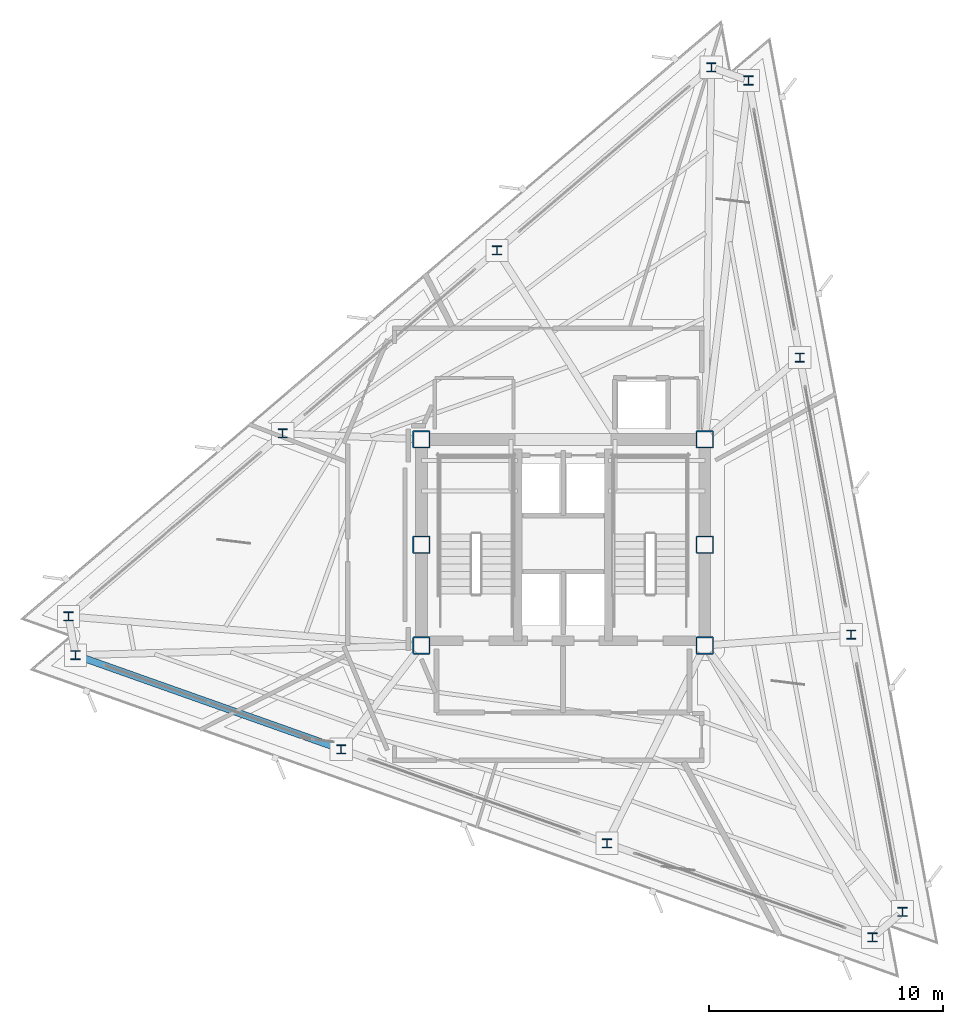
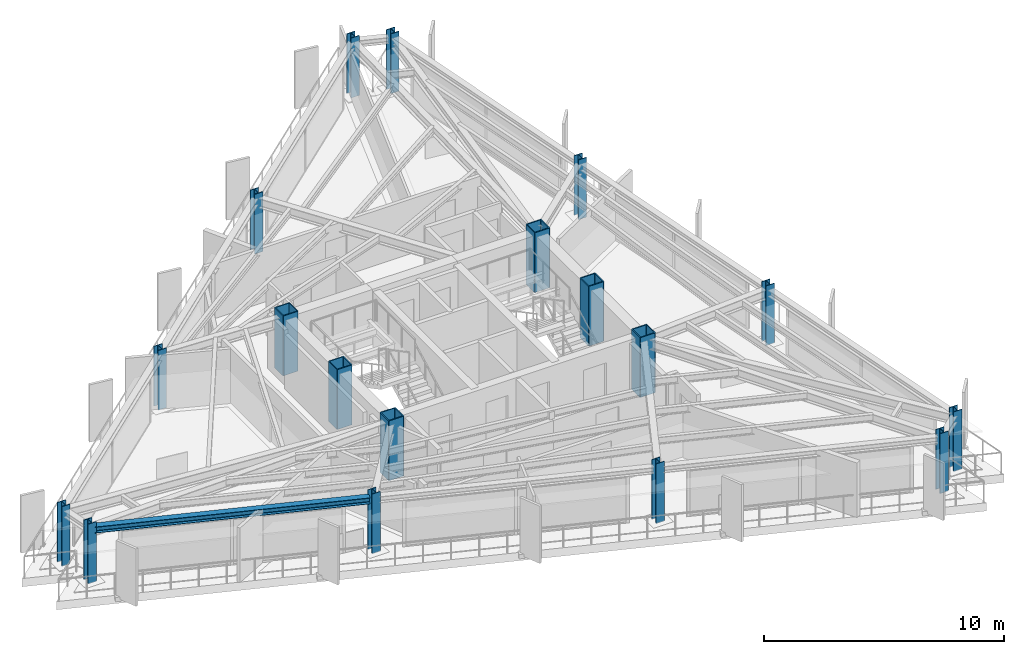
# One storey, part 1 of 14: 18 columns, 1 beam.
"""IFC4 building model written with IfcOpenShell, lengths in metres."""

import ifcopenshell
import ifcopenshell.guid

model = None  # the IFC model being written
_history = None  # IfcOwnerHistory: only IFC2X3 demands one
_inside = {}  # id of a spatial element -> (the spatial element, [elements in it])
_under = {}  # id of a project, library or spatial element -> (it, [spatial elements below it])
_declared = {}  # id of a project -> (the project, [libraries it declares])
_typed = {}  # id of a type object -> (the type object, [elements of that type])
_made_of = {}  # id of a material, layer set ... -> (it, [elements and type objects made of it])


def new_model(schema):
    """Start an empty IFC model of exactly this schema.

    Asked for "IFC4X3", IfcOpenShell would pick the latest addendum, in which some entities
    have other attributes; the version numbers below select the first issue.
    IFC2X3 requires an IfcOwnerHistory on every rooted entity: one is made here for all.
    """
    global model, _history
    if schema == "IFC4X3":
        model = ifcopenshell.file(schema_version=(4, 3, 0, 0))
    else:
        model = ifcopenshell.file(schema=schema)
    _inside.clear()
    _under.clear()
    _declared.clear()
    _typed.clear()
    _made_of.clear()
    _history = None
    if model.schema == "IFC2X3":
        org = make("IfcOrganization", Name="unknown")
        user = make(
            "IfcPersonAndOrganization",
            ThePerson=make("IfcPerson", FamilyName="unknown"),
            TheOrganization=org,
        )
        app = make(
            "IfcApplication",
            ApplicationDeveloper=org,
            Version="unknown",
            ApplicationFullName="unknown",
            ApplicationIdentifier="unknown",
        )
        _history = make(
            "IfcOwnerHistory",
            OwningUser=user,
            OwningApplication=app,
            ChangeAction="ADDED",
            CreationDate=0,
        )
    return model


def make(cls, **values):
    """One entity of the class cls with the attributes given. An attribute that is None is left unset."""
    return model.create_entity(
        cls, **{name: value for name, value in values.items() if value is not None}
    )


def rooted(cls, **values):
    """An entity with a GlobalId (a new one), such as an element, a storey or a relation."""
    return make(cls, GlobalId=ifcopenshell.guid.new(), OwnerHistory=_history, **values)


def si_unit(unit_type, name, prefix=None):
    """IfcSIUnit, for example si_unit("LENGTHUNIT", "METRE", prefix="MILLI")."""
    return make("IfcSIUnit", UnitType=unit_type, Prefix=prefix, Name=name)


def assignment(units):
    """IfcUnitAssignment: the units of a project."""
    return None if units is None else make("IfcUnitAssignment", Units=units)


def point(xyz):
    """IfcCartesianPoint."""
    return None if xyz is None else make("IfcCartesianPoint", Coordinates=xyz)


def direction(xyz):
    """IfcDirection."""
    return None if xyz is None else make("IfcDirection", DirectionRatios=xyz)


def frame(location, z_axis=None, x_axis=None):
    """IfcAxis2Placement3D, a coordinate frame: its origin and axes. An axis left out is left unset."""
    return make(
        "IfcAxis2Placement3D",
        Location=point(location),
        Axis=direction(z_axis),
        RefDirection=direction(x_axis),
    )


def frame_2d(location, x_axis=None):
    """IfcAxis2Placement2D, a coordinate frame in the plane: its origin and x axis."""
    return make(
        "IfcAxis2Placement2D", Location=point(location), RefDirection=direction(x_axis)
    )


def origin():
    """The frame at (0, 0, 0) with its axes left unset."""
    return frame((0.0, 0.0, 0.0))


def origin_2d():
    """The frame at (0, 0) in the plane with its x axis left unset."""
    return frame_2d((0.0, 0.0))


def place(relative_to, where):
    """IfcLocalPlacement: puts the frame where relative to a parent placement (None: the world)."""
    return make(
        "IfcLocalPlacement", PlacementRelTo=relative_to, RelativePlacement=where
    )


def context(
    kind, dimensions, precision=None, world=None, true_north=None, identifier=None
):
    """IfcGeometricRepresentationContext, for example the 3D "Model" context."""
    return make(
        "IfcGeometricRepresentationContext",
        ContextIdentifier=identifier,
        ContextType=kind,
        CoordinateSpaceDimension=dimensions,
        Precision=precision,
        WorldCoordinateSystem=world,
        TrueNorth=true_north,
    )


def subcontext(parent, identifier, kind, view, scale=None):
    """IfcGeometricRepresentationSubContext, for example "Body" below "Model"."""
    return make(
        "IfcGeometricRepresentationSubContext",
        ContextIdentifier=identifier,
        ContextType=kind,
        ParentContext=parent,
        TargetScale=scale,
        TargetView=view,
    )


def project(units=None, contexts=None):
    """IfcProject with its units and contexts."""
    return rooted(
        "IfcProject",
        Name="project",
        RepresentationContexts=contexts,
        UnitsInContext=assignment(units),
    )


def spatial(cls, under=None, at=None, **own):
    """A site, building, storey or space (cls), placed at a placement, below another one or the project."""
    s = rooted(cls, ObjectPlacement=at, **own)
    if under is not None:
        _under.setdefault(under.id(), (under, []))[1].append(s)
    return s


def profile(cls, at=None, kind="AREA", **sizes):
    """A parametric profile (cls). Its sizes go by their IFC names, for example OverallWidth=200.0."""
    return make(cls, ProfileType=kind, Position=at, **sizes)


def hollow_rectangle(**sizes):
    """IfcRectangleHollowProfileDef."""
    return profile("IfcRectangleHollowProfileDef", **sizes)


def i_section(**sizes):
    """IfcIShapeProfileDef."""
    return profile("IfcIShapeProfileDef", **sizes)


def extrude(swept, where, along, depth):
    """IfcExtrudedAreaSolid: the profile swept, set in the frame where, extruded along a direction by depth."""
    return make(
        "IfcExtrudedAreaSolid",
        SweptArea=swept,
        Position=where,
        ExtrudedDirection=direction(along),
        Depth=depth,
    )


def shape(context_of_items, identifier, shape_type, items):
    """IfcShapeRepresentation: the items that make up one representation, for example the "Body"."""
    return make(
        "IfcShapeRepresentation",
        ContextOfItems=context_of_items,
        RepresentationIdentifier=identifier,
        RepresentationType=shape_type,
        Items=items,
    )


def material(Name=None, Category=None):
    """IfcMaterial."""
    return make("IfcMaterial", Name=Name, Category=Category)


def material_profile(
    of_material, cross_section, Name=None, Category=None, Priority=None
):
    """IfcMaterialProfile: a cross section and its material."""
    return make(
        "IfcMaterialProfile",
        Name=Name,
        Material=of_material,
        Profile=cross_section,
        Priority=Priority,
        Category=Category,
    )


def profile_set(profiles, Name=None, composite=None):
    """IfcMaterialProfileSet."""
    return make(
        "IfcMaterialProfileSet",
        Name=Name,
        MaterialProfiles=profiles,
        CompositeProfile=composite,
    )


def made_of(thing, what):
    """Note that an element or type object is made of a material, layer set ...; save() writes the relation."""
    if what is not None:
        _made_of.setdefault(what.id(), (what, []))[1].append(thing)
    return thing


def type_object(cls, material=None, **own):
    """A type object (cls), such as IfcWallType, which elements share."""
    return made_of(rooted(cls, **own), material)


def element(
    cls,
    number,
    at=None,
    inside=None,
    cuts=None,
    type_object=None,
    material=None,
    context=None,
    identifier="Body",
    shape_type=None,
    held_by="IfcProductDefinitionShape",
    body=None,
    shapes=None,
    **own,
):
    """One element of the class cls, such as IfcWall. Its Tag is "e" and its number.

    at: its placement. inside: the storey or other place that contains it. cuts: it is an
    opening in that element (IfcRelVoidsElement). A single representation is given by context,
    identifier, shape_type and body (its items); several are given by shapes. held_by: the class
    of the entity that holds the representations. save() writes the other relations.
    """
    e = rooted(cls, Tag="e%d" % number, ObjectPlacement=at, **own)
    if body is not None:
        shapes = [shape(context, identifier, shape_type, body)]
    if shapes is not None:
        e.Representation = make(held_by, Representations=shapes)
    if inside is not None:
        _inside.setdefault(inside.id(), (inside, []))[1].append(e)
    if cuts is not None:
        rooted(
            "IfcRelVoidsElement", RelatingBuildingElement=cuts, RelatedOpeningElement=e
        )
    if type_object is not None:
        _typed.setdefault(type_object.id(), (type_object, []))[1].append(e)
    return made_of(e, material)


def aggregate(whole, parts):
    """IfcRelAggregates: a whole, such as a stair, and the parts it consists of."""
    return rooted("IfcRelAggregates", RelatingObject=whole, RelatedObjects=parts)


def save(model, path):
    """Write the relations noted so far, then the file.

    IfcRelAggregates (storeys below a building ...), IfcRelContainedInSpatialStructure (elements
    in a storey), IfcRelDefinesByType, IfcRelAssociatesMaterial and IfcRelDeclares: one each for
    every whole, place, type object, material and project.
    """
    for whole, parts in _under.values():
        aggregate(whole, parts)
    for where, things in _inside.values():
        rooted(
            "IfcRelContainedInSpatialStructure",
            RelatedElements=things,
            RelatingStructure=where,
        )
    for kind, things in _typed.values():
        rooted("IfcRelDefinesByType", RelatedObjects=things, RelatingType=kind)
    for what, things in _made_of.values():
        rooted("IfcRelAssociatesMaterial", RelatedObjects=things, RelatingMaterial=what)
    for by, libraries in _declared.values():
        rooted("IfcRelDeclares", RelatingContext=by, RelatedDefinitions=libraries)
    model.write(path)


model = new_model("IFC4")

# Units and contexts
model_context = context("Model", 3, precision=1e-05, world=origin(), true_north=direction((0.0, 1.0)))
body_context = subcontext(model_context, "Body", "Model", "MODEL_VIEW")
ifc_project = project(units=[si_unit("LENGTHUNIT", "METRE"), si_unit("AREAUNIT", "SQUARE_METRE"), si_unit("VOLUMEUNIT", "CUBIC_METRE"), si_unit("PLANEANGLEUNIT", "RADIAN"), si_unit("MASSUNIT", "GRAM", prefix="KILO")], contexts=[model_context])

# Site, building, storey
site_placement = place(None, origin())
site = spatial("IfcSite", under=ifc_project, at=site_placement, CompositionType="ELEMENT")
building_placement = place(site_placement, origin())
building = spatial("IfcBuilding", under=site, at=building_placement, Name="Rocaltana Carrier Exchange", CompositionType="ELEMENT")
storey_placement = place(building_placement, frame((0.0, 0.0, 175.360107421875)))
storey = spatial("IfcBuildingStorey", under=building, at=storey_placement, Name="L55", CompositionType="ELEMENT", Elevation=175.360107421875)

# Columns
ifc_material_1 = material(Name="Steel S460", Category="steel")
ifc_material_profile_1 = material_profile(ifc_material_1, hollow_rectangle(XDim=0.75, YDim=0.75, WallThickness=0.050048828125, InnerFilletRadius=0.02001953125, OuterFilletRadius=0.0400390625, at=origin_2d()), Name="BOX750X750X50")
ifc_profile_set_1 = profile_set([ifc_material_profile_1], Name="Steel S460")
column_type_1 = type_object("IfcColumnType", Name="Core Mega-Column BOX750", PredefinedType="COLUMN", material=ifc_profile_set_1)
for number, where, z_axis, x_axis, name in (
    (1, (-6.050048828125, 4.5, 0.0), (0.0, 0.0, 1.0), (1.0, 0.0, 0.0), "L55 Core Mega-Column MC1"),
    (2, (6.050048828125, 4.5, 0.0), (0.0, 0.0, 1.0), (1.0, 0.0, 0.0), "L55 Core Mega-Column MC2"),
    (3, (-6.050048828125, 0.0, 0.0), (0.0, 0.0, 1.0), (1.0, 0.0, 0.0), "L55 Core Mega-Column MC3"),
    (4, (6.050048828125, 0.0, 0.0), (0.0, 0.0, 1.0), (1.0, 0.0, 0.0), "L55 Core Mega-Column MC4"),
    (5, (-6.050048828125, -4.300048828125, 0.0), (0.0, 0.0, 1.0), (1.0, 0.0, 0.0), "L55 Core Mega-Column MC5"),
    (6, (6.050048828125, -4.300048828125, 0.0), (0.0, 0.0, 1.0), (1.0, 0.0, 0.0), "L55 Core Mega-Column MC6"),
):
    element("IfcColumn", number, at=place(storey_placement, frame(where, z_axis=z_axis, x_axis=x_axis)), inside=storey, type_object=column_type_1, Name=name, PredefinedType="COLUMN", context=body_context, shape_type="SweptSolid", body=[
        extrude(hollow_rectangle(XDim=0.75, YDim=0.75, WallThickness=0.050048828125, InnerFilletRadius=0.02001953125, OuterFilletRadius=0.0400390625, at=origin_2d()), origin(), (0.0, 0.0, 1.0), 3.039794921875),
    ])
ifc_material_2 = material(Name="Steel S355", Category="steel")
ifc_material_profile_2 = material_profile(ifc_material_2, i_section(OverallWidth=0.39794921875, OverallDepth=0.386962890625, WebThickness=0.02099609375, FlangeThickness=0.033203125, FilletRadius=0.01806640625, at=origin_2d()), Name="W14X176")
ifc_profile_set_2 = profile_set([ifc_material_profile_2], Name="Steel S355")
column_type_2 = type_object("IfcColumnType", Name="Perimeter Column W14X176", PredefinedType="COLUMN", material=ifc_profile_set_2)
for number, where, z_axis, x_axis, name in (
    (7, (14.492431640625, -15.67138671875, 0.0), (0.0, 0.0, 1.0), (1.0, 0.0, 0.0), "L55 Perimeter Column TC01"),
    (8, (12.299560546875, -3.839599609375, 0.0), (0.0, 0.0, 1.0), (1.0, 0.0, 0.0), "L55 Perimeter Column TC02"),
    (9, (10.106689453125, 7.9921875, 0.0), (0.0, 0.0, 1.0), (1.0, 0.0, 0.0), "L55 Perimeter Column TC03"),
    (10, (7.913818359375, 19.82421875, 0.0), (0.0, 0.0, 1.0), (1.0, 0.0, 0.0), "L55 Perimeter Column TC04"),
    (11, (6.325439453125, 20.38671875, 0.0), (0.0, 0.0, 1.0), (1.0, 0.0, 0.0), "L55 Perimeter Column TC05"),
    (12, (-2.82470703125, 12.571533203125, 0.0), (0.0, 0.0, 1.0), (1.0, 0.0, 0.0), "L55 Perimeter Column TC06"),
    (13, (-11.974853515625, 4.756591796875, 0.0), (0.0, 0.0, 1.0), (1.0, 0.0, 0.0), "L55 Perimeter Column TC07"),
    (14, (-21.125, -3.05859375, 0.0), (0.0, 0.0, 1.0), (1.0, 0.0, 0.0), "L55 Perimeter Column TC08"),
    (15, (-20.818115234375, -4.715087890625, 0.0), (0.0, 0.0, 1.0), (1.0, 0.0, 0.0), "L55 Perimeter Column TC09"),
    (16, (-9.474853515625, -8.73193359375, 0.0), (0.0, 0.0, 1.0), (1.0, 0.0, 0.0), "L55 Perimeter Column TC10"),
    (17, (1.8681640625, -12.748779296875, 0.0), (0.0, 0.0, 1.0), (1.0, 0.0, 0.0), "L55 Perimeter Column TC11"),
    (18, (13.211181640625, -16.765625, 0.0), (0.0, 0.0, 1.0), (1.0, 0.0, 0.0), "L55 Perimeter Column TC12"),
):
    element("IfcColumn", number, at=place(storey_placement, frame(where, z_axis=z_axis, x_axis=x_axis)), inside=storey, type_object=column_type_2, Name=name, PredefinedType="COLUMN", context=body_context, shape_type="SweptSolid", body=[
        extrude(i_section(OverallWidth=0.39794921875, OverallDepth=0.386962890625, WebThickness=0.02099609375, FlangeThickness=0.033203125, FilletRadius=0.01806640625, at=origin_2d()), origin(), (0.0, 0.0, 1.0), 3.039794921875),
    ])

# Beam
ifc_material_3 = material(Name="Steel S355", Category="steel")
ifc_material_profile_3 = material_profile(ifc_material_3, i_section(OverallWidth=0.300048828125, OverallDepth=0.320068359375, WebThickness=0.011474609375, FlangeThickness=0.0205078125, FilletRadius=0.027099609375, at=origin_2d()), Name="HEB320")
ifc_profile_set_3 = profile_set([ifc_material_profile_3], Name="Steel S355")
beam_type = type_object("IfcBeamType", Name="Spandrel Edge Beam HEB320", PredefinedType="SPANDREL", material=ifc_profile_set_3)
beam_placement = place(storey_placement, frame((-20.643310546875, -4.777099609375, 2.637939453125), z_axis=(0.942638890489, -0.333814203019, 0.0), x_axis=(0.333814203019, 0.942638890489, 0.0)))
element("IfcBeam", 19, at=beam_placement, inside=storey, type_object=beam_type, Name="SP-L55-09", PredefinedType="SPANDREL", context=body_context, shape_type="SweptSolid", body=[
    extrude(i_section(OverallWidth=0.300048828125, OverallDepth=0.320068359375, WebThickness=0.011474609375, FlangeThickness=0.0205078125, FilletRadius=0.027099609375, at=origin_2d()), origin(), (0.0, 0.0, 1.0), 11.662353515625),
])

save(model, "model.ifc")
